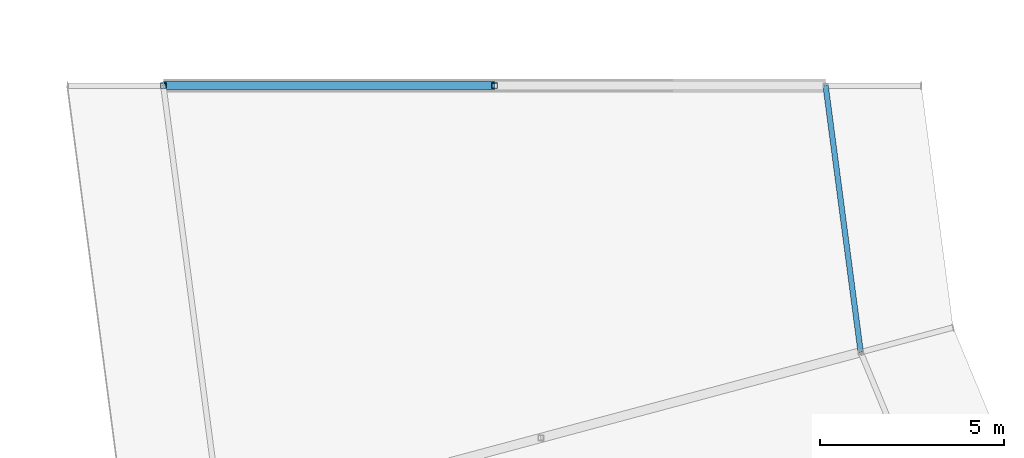
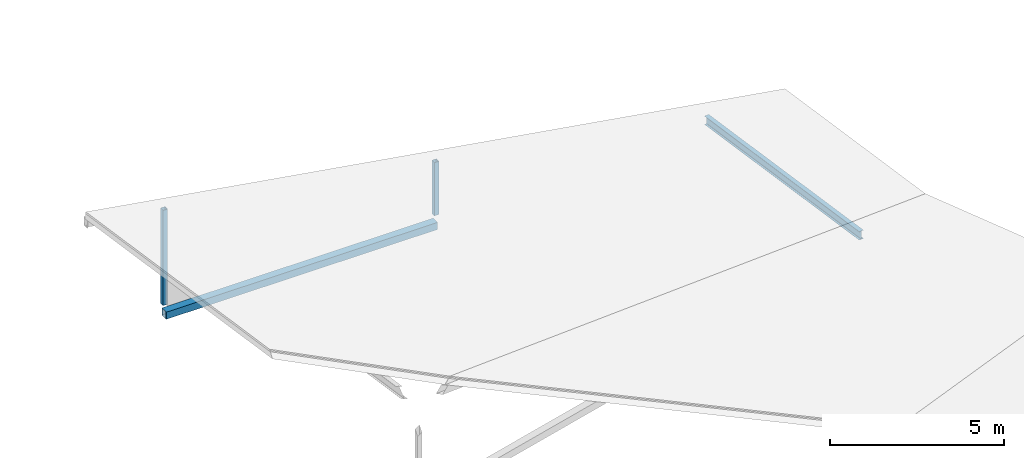
# One storey, part 10 of 70: 3 members, 1 beam.
"""IFC4 building model written with IfcOpenShell, lengths in metres."""

from ifc_helpers import new_model, si_unit, direction, frame, origin, origin_2d, place, context, subcontext, project, spatial, hollow_rectangle, i_section, extrude, material, material_profile, profile_set, type_object, element, save


model = new_model("IFC4")

# Units and contexts
model_context = context("Model", 3, precision=1e-05, world=origin(), true_north=direction((0.0, 1.0)))
body_context = subcontext(model_context, "Body", "Model", "MODEL_VIEW")
ifc_project = project(units=[si_unit("LENGTHUNIT", "METRE"), si_unit("AREAUNIT", "SQUARE_METRE"), si_unit("VOLUMEUNIT", "CUBIC_METRE"), si_unit("PLANEANGLEUNIT", "RADIAN"), si_unit("MASSUNIT", "GRAM", prefix="KILO")], contexts=[model_context])

# Site, building, storey
site_placement = place(None, origin())
site = spatial("IfcSite", under=ifc_project, at=site_placement, CompositionType="ELEMENT")
building_placement = place(site_placement, origin())
building = spatial("IfcBuilding", under=site, at=building_placement, Name="Vondelvale Polytechnic", CompositionType="ELEMENT")
storey_placement = place(building_placement, frame((0.0, 0.0, 22.199951171875)))
storey = spatial("IfcBuildingStorey", under=building, at=storey_placement, Name="L05", CompositionType="ELEMENT", Elevation=22.199951171875)

# Beam
ifc_material_1 = material(Name="Steel 300PLUS (fy = 300 MPa)", Category="steel")
ifc_material_profile_1 = material_profile(ifc_material_1, i_section(OverallWidth=0.14892578125, OverallDepth=0.298095703125, WebThickness=0.005615234375, FlangeThickness=0.008056640625, FilletRadius=0.011474609375, at=origin_2d()), Name="310UB32.0")
ifc_profile_set_1 = profile_set([ifc_material_profile_1], Name="Steel 300PLUS (fy = 300 MPa)")
beam_type = type_object("IfcBeamType", Name="BM-UB310L", PredefinedType="BEAM", material=ifc_profile_set_1)
beam_placement = place(storey_placement, frame((74.0, 72.0, 0.16259765625), z_axis=(0.13053140969, -0.991444174467, 0.0), x_axis=(0.991444174467, 0.13053140969, 0.0)))
element("IfcBeam", 1, at=beam_placement, inside=storey, type_object=beam_type, Name="L05 RE B-25", PredefinedType="BEAM", context=body_context, shape_type="SweptSolid", body=[
    extrude(i_section(OverallWidth=0.14892578125, OverallDepth=0.298095703125, WebThickness=0.005615234375, FlangeThickness=0.008056640625, FilletRadius=0.011474609375, at=origin_2d()), origin(), (0.0, 0.0, 1.0), 7.309326171875),
])

# Members
ifc_material_2 = material(Name="Steel C350L0 (fy = 350 MPa)", Category="steel")
ifc_material_profile_2 = material_profile(ifc_material_2, hollow_rectangle(XDim=0.25, YDim=0.25, WallThickness=0.009033203125, at=origin_2d()), Name="250x250x9.0SHS")
ifc_profile_set_2 = profile_set([ifc_material_profile_2], Name="Steel C350L0 (fy = 350 MPa)")
member_type_1 = type_object("IfcMemberType", Name="ROOF TRUSS CHORD 250SHS", PredefinedType="CHORD", material=ifc_profile_set_2)
member_1_placement = place(storey_placement, frame((65.0, 72.0, -0.349853515625), z_axis=(-1.0, 0.0, 0.0), x_axis=(0.0, -1.0, 0.0)))
element("IfcMember", 2, at=member_1_placement, inside=storey, type_object=member_type_1, Name="Ring workshop truss chord 12B", PredefinedType="CHORD", context=body_context, shape_type="SweptSolid", body=[
    extrude(hollow_rectangle(XDim=0.25, YDim=0.25, WallThickness=0.009033203125, at=origin_2d()), origin(), (0.0, 0.0, 1.0), 9.0),
])
ifc_material_profile_3 = material_profile(ifc_material_2, hollow_rectangle(XDim=0.14990234375, YDim=0.14990234375, WallThickness=0.006103515625, at=origin_2d()), Name="150x150x6.0SHS")
ifc_profile_set_3 = profile_set([ifc_material_profile_3], Name="Steel C350L0 (fy = 350 MPa)")
member_type_2 = type_object("IfcMemberType", Name="ROOF TRUSS POST 150SHS", PredefinedType="POST", material=ifc_profile_set_3)
member_2_placement = place(storey_placement, frame((56.0, 72.0, 0.0), z_axis=(0.0, 0.0, 1.0), x_axis=(1.0, 0.0, 0.0)))
element("IfcMember", 3, at=member_2_placement, inside=storey, type_object=member_type_2, Name="Ring outer roof post 12", PredefinedType="POST", context=body_context, shape_type="SweptSolid", body=[
    extrude(hollow_rectangle(XDim=0.14990234375, YDim=0.14990234375, WallThickness=0.006103515625, at=origin_2d()), origin(), (0.0, 0.0, 1.0), 3.33984375),
])
member_3_placement = place(storey_placement, frame((65.0, 72.0, 0.0), z_axis=(0.0, 0.0, 1.0), x_axis=(1.0, 0.0, 0.0)))
element("IfcMember", 4, at=member_3_placement, inside=storey, type_object=member_type_2, Name="Ring mid roof post 12", PredefinedType="POST", context=body_context, shape_type="SweptSolid", body=[
    extrude(hollow_rectangle(XDim=0.14990234375, YDim=0.14990234375, WallThickness=0.006103515625, at=origin_2d()), origin(), (0.0, 0.0, 1.0), 1.86572265625),
])

save(model, "model.ifc")
